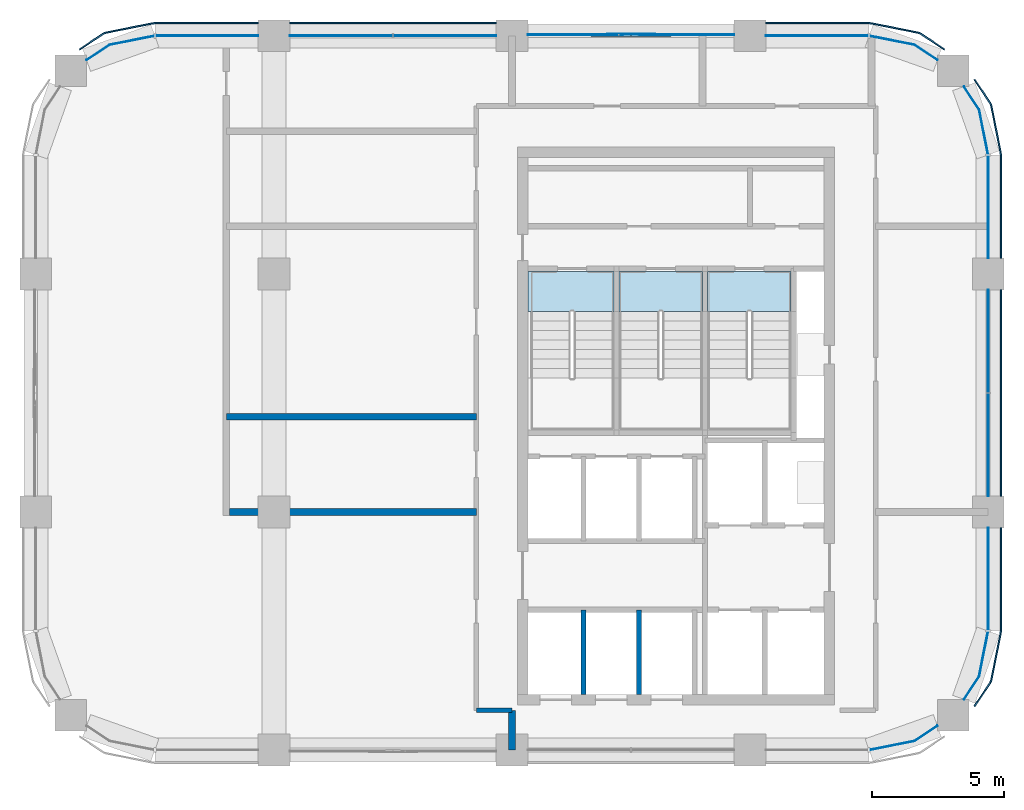
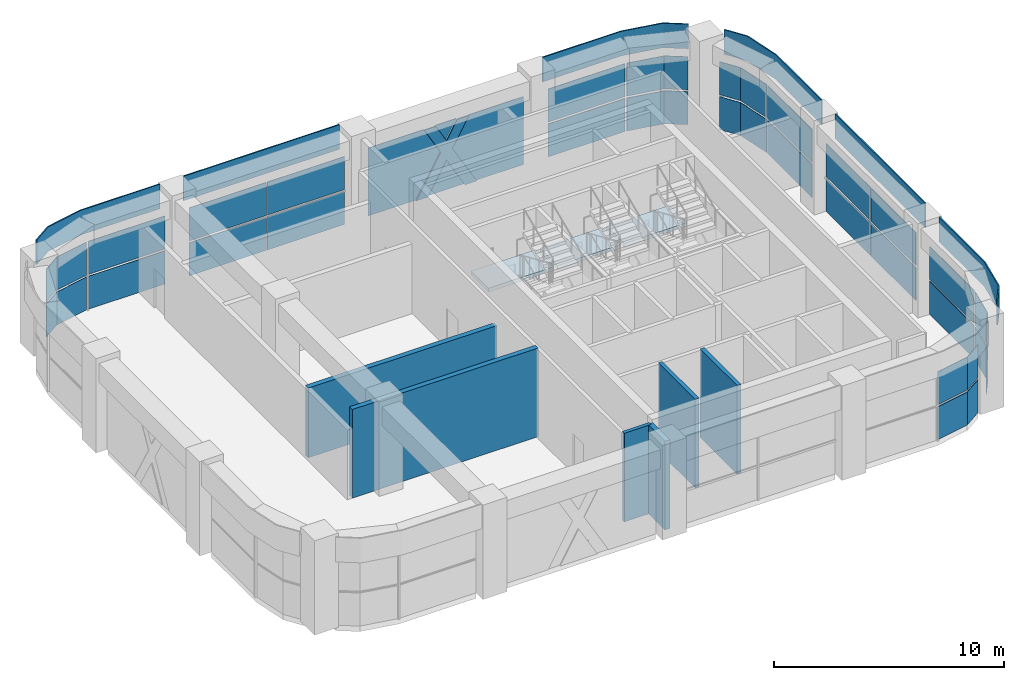
# One storey, part 7 of 15: 37 plates, 6 walls, 3 slabs, 11 elements without a shape of their own.
"""IFC4 building model written with IfcOpenShell, lengths in metres."""

from ifc_helpers import new_model, si_unit, direction, frame, frame_2d, origin, origin_2d, place, context, subcontext, project, spatial, polyline, rectangle, outline, extrude, material, layer, layer_set, type_object, element, aggregate, save


model = new_model("IFC4")

# Units and contexts
model_context = context("Model", 3, precision=1e-05, world=origin(), true_north=direction((0.0, 1.0)))
body_context = subcontext(model_context, "Body", "Model", "MODEL_VIEW")
ifc_project = project(units=[si_unit("LENGTHUNIT", "METRE"), si_unit("AREAUNIT", "SQUARE_METRE"), si_unit("VOLUMEUNIT", "CUBIC_METRE"), si_unit("PLANEANGLEUNIT", "RADIAN"), si_unit("MASSUNIT", "GRAM", prefix="KILO")], contexts=[model_context])

# Site, building, storey
site_placement = place(None, origin())
site = spatial("IfcSite", under=ifc_project, at=site_placement, CompositionType="ELEMENT")
building_placement = place(site_placement, origin())
building = spatial("IfcBuilding", under=site, at=building_placement, Name="Tessera Arch", CompositionType="ELEMENT")
storey_placement = place(building_placement, frame((0.0, 0.0, 285.199951171875)))
storey = spatial("IfcBuildingStorey", under=building, at=storey_placement, Name="L69", CompositionType="ELEMENT", Elevation=285.199951171875)

# Curtain wall, plates
ifc_material_1 = material(Name="CW1 curtain wall")
curtain_wall_type_1 = type_object("IfcCurtainWallType", Name="CW1 curtain wall", PredefinedType="NOTDEFINED", material=ifc_material_1)
curtain_wall_1_placement = place(storey_placement, origin())
curtain_wall_1 = element("IfcCurtainWall", 1, at=curtain_wall_1_placement, inside=storey, type_object=curtain_wall_type_1, Name="CW1 curtain wall E54.27/0 L69", PredefinedType="NOTDEFINED")
ifc_material_2 = material(Name="Clear low-e glass", Category="glass")
ifc_material_3 = material(Name="Clear low-e glass", Category="glass")
ifc_layer_1 = layer(ifc_material_3, 0.028076171875)
ifc_layer_set_1 = layer_set([ifc_layer_1], Name="CW1 glass panel")
plate_type_1 = type_object("IfcPlateType", Name="CW1 glass panel", PredefinedType="CURTAIN_PANEL", material=ifc_layer_set_1)
plate_1_placement = place(storey_placement, frame((54.0, 38.534912109375, 0.0), z_axis=(0.0, 0.0, 1.0), x_axis=(0.0, 1.0, 0.0)))
plate_1 = element("IfcPlate", 2, at=plate_1_placement, type_object=plate_type_1, material=ifc_material_2, Name="CW1 glass panel E54.27/0 1.1.1", PredefinedType="CURTAIN_PANEL", context=body_context, shape_type="SweptSolid", body=[
    extrude(rectangle(XDim=3.8701171875, YDim=0.028076171875, at=origin_2d()), origin(), (0.0, 0.0, 1.0), 1.75),
])
plate_2_placement = place(storey_placement, frame((54.0, 38.534912109375, 1.85009765625), z_axis=(0.0, 0.0, 1.0), x_axis=(0.0, 1.0, 0.0)))
plate_2 = element("IfcPlate", 3, at=plate_2_placement, type_object=plate_type_1, material=ifc_material_2, Name="CW1 glass panel E54.27/0 1.1.2", PredefinedType="CURTAIN_PANEL", context=body_context, shape_type="SweptSolid", body=[
    extrude(rectangle(XDim=3.8701171875, YDim=0.028076171875, at=origin_2d()), origin(), (0.0, 0.0, 1.0), 1.75),
])
plate_3_placement = place(storey_placement, frame((54.0, 42.465087890625, 0.0), z_axis=(0.0, 0.0, 1.0), x_axis=(0.0, 1.0, 0.0)))
plate_3 = element("IfcPlate", 4, at=plate_3_placement, type_object=plate_type_1, material=ifc_material_2, Name="CW1 glass panel E54.27/0 1.2.1", PredefinedType="CURTAIN_PANEL", context=body_context, shape_type="SweptSolid", body=[
    extrude(rectangle(XDim=3.8701171875, YDim=0.028076171875, at=origin_2d()), origin(), (0.0, 0.0, 1.0), 1.75),
])
plate_4_placement = place(storey_placement, frame((54.0, 42.465087890625, 1.85009765625), z_axis=(0.0, 0.0, 1.0), x_axis=(0.0, 1.0, 0.0)))
plate_4 = element("IfcPlate", 5, at=plate_4_placement, type_object=plate_type_1, material=ifc_material_2, Name="CW1 glass panel E54.27/0 1.2.2", PredefinedType="CURTAIN_PANEL", context=body_context, shape_type="SweptSolid", body=[
    extrude(rectangle(XDim=3.8701171875, YDim=0.028076171875, at=origin_2d()), origin(), (0.0, 0.0, 1.0), 1.75),
])

curtain_wall_2_placement = place(storey_placement, origin())
curtain_wall_2 = element("IfcCurtainWall", 6, at=curtain_wall_2_placement, inside=storey, type_object=curtain_wall_type_1, Name="CW1 curtain wall N54.18/2 L69", PredefinedType="NOTDEFINED")
plate_5_placement = place(storey_placement, frame((33.465087890625, 54.0, 0.0), z_axis=(0.0, 0.0, 1.0), x_axis=(-1.0, 0.0, 0.0)))
plate_5 = element("IfcPlate", 7, at=plate_5_placement, type_object=plate_type_1, material=ifc_material_2, Name="CW1 glass panel N54.18/2 1.1.1", PredefinedType="CURTAIN_PANEL", context=body_context, shape_type="SweptSolid", body=[
    extrude(rectangle(XDim=3.8701171875, YDim=0.028076171875, at=origin_2d()), origin(), (0.0, 0.0, 1.0), 1.75),
])
plate_6_placement = place(storey_placement, frame((33.465087890625, 54.0, 1.85009765625), z_axis=(0.0, 0.0, 1.0), x_axis=(-1.0, 0.0, 0.0)))
plate_6 = element("IfcPlate", 8, at=plate_6_placement, type_object=plate_type_1, material=ifc_material_2, Name="CW1 glass panel N54.18/2 1.1.2", PredefinedType="CURTAIN_PANEL", context=body_context, shape_type="SweptSolid", body=[
    extrude(rectangle(XDim=3.8701171875, YDim=0.028076171875, at=origin_2d()), origin(), (0.0, 0.0, 1.0), 1.75),
])
plate_7_placement = place(storey_placement, frame((29.534912109375, 54.0, 0.0), z_axis=(0.0, 0.0, 1.0), x_axis=(-1.0, 0.0, 0.0)))
plate_7 = element("IfcPlate", 9, at=plate_7_placement, type_object=plate_type_1, material=ifc_material_2, Name="CW1 glass panel N54.18/2 1.2.1", PredefinedType="CURTAIN_PANEL", context=body_context, shape_type="SweptSolid", body=[
    extrude(rectangle(XDim=3.8701171875, YDim=0.028076171875, at=origin_2d()), origin(), (0.0, 0.0, 1.0), 1.75),
])
plate_8_placement = place(storey_placement, frame((29.534912109375, 54.0, 1.85009765625), z_axis=(0.0, 0.0, 1.0), x_axis=(-1.0, 0.0, 0.0)))
plate_8 = element("IfcPlate", 10, at=plate_8_placement, type_object=plate_type_1, material=ifc_material_2, Name="CW1 glass panel N54.18/2 1.2.2", PredefinedType="CURTAIN_PANEL", context=body_context, shape_type="SweptSolid", body=[
    extrude(rectangle(XDim=3.8701171875, YDim=0.028076171875, at=origin_2d()), origin(), (0.0, 0.0, 1.0), 1.75),
])

# Plate
ifc_material_4 = material(Name="Pale anodised aluminium panel", Category="aluminium")
ifc_layer_2 = layer(ifc_material_4, 0.06005859375)
ifc_layer_set_2 = layer_set([ifc_layer_2], Name="CW1 spandrel panel")
plate_type_2 = type_object("IfcPlateType", Name="CW1 spandrel panel", PredefinedType="CURTAIN_PANEL", material=ifc_layer_set_2)
plate_9_placement = place(storey_placement, frame((54.47998046875, 40.5, 3.7001953125), z_axis=(0.0, 0.0, 1.0), x_axis=(0.0, 1.0, 0.0)))
plate_9 = element("IfcPlate", 11, at=plate_9_placement, type_object=plate_type_2, Name="CW1 spandrel panel E54.27/0", PredefinedType="CURTAIN_PANEL", context=body_context, shape_type="SweptSolid", body=[
    extrude(rectangle(XDim=7.800048828125, YDim=0.06005859375, at=origin_2d()), origin(), (0.0, 0.0, 1.0), 1.300048828125),
])

aggregate(curtain_wall_1, [plate_1, plate_2, plate_3, plate_4, plate_9])

plate_10_placement = place(storey_placement, frame((31.5, 54.47998046875, 3.7001953125), z_axis=(0.0, 0.0, 1.0), x_axis=(-1.0, 0.0, 0.0)))
plate_10 = element("IfcPlate", 12, at=plate_10_placement, type_object=plate_type_2, Name="CW1 spandrel panel N54.18/2", PredefinedType="CURTAIN_PANEL", context=body_context, shape_type="SweptSolid", body=[
    extrude(rectangle(XDim=7.800048828125, YDim=0.06005859375, at=origin_2d()), origin(), (0.0, 0.0, 1.0), 1.300048828125),
])

aggregate(curtain_wall_2, [plate_5, plate_6, plate_7, plate_8, plate_10])

# Curtain wall, plates
ifc_material_5 = material(Name="CW2 curtain wall")
curtain_wall_type_2 = type_object("IfcCurtainWallType", Name="CW2 curtain wall", PredefinedType="NOTDEFINED", material=ifc_material_5)
curtain_wall_3_placement = place(storey_placement, origin())
curtain_wall_3 = element("IfcCurtainWall", 13, at=curtain_wall_3_placement, inside=storey, type_object=curtain_wall_type_2, Name="CW2 curtain wall E54.27/1 L69", PredefinedType="NOTDEFINED")
ifc_material_6 = material(Name="Clear low-e glass", Category="glass")
ifc_layer_3 = layer(ifc_material_6, 0.028076171875)
ifc_layer_set_3 = layer_set([ifc_layer_3], Name="CW2 glass panel")
plate_type_3 = type_object("IfcPlateType", Name="CW2 glass panel", PredefinedType="CURTAIN_PANEL", material=ifc_layer_set_3)
plate_11_placement = place(storey_placement, frame((54.0, 47.530029296875, 0.0), z_axis=(0.0, 0.0, 1.0), x_axis=(0.0, 1.0, 0.0)))
plate_11 = element("IfcPlate", 14, at=plate_11_placement, type_object=plate_type_3, material=ifc_material_2, Name="CW2 glass panel E54.27/1 1.1", PredefinedType="CURTAIN_PANEL", context=body_context, shape_type="SweptSolid", body=[
    extrude(rectangle(XDim=3.860107421875, YDim=0.028076171875, at=origin_2d()), origin(), (0.0, 0.0, 1.0), 1.75),
])
plate_12_placement = place(storey_placement, origin())
plate_12 = element("IfcPlate", 15, at=plate_12_placement, type_object=plate_type_3, material=ifc_material_2, Name="CW2 curved glass panel E54.27/1 2.1", PredefinedType="CURTAIN_PANEL", context=body_context, shape_type="SweptSolid", body=[
    extrude(outline(polyline([(53.644287109375, 51.216552734375), (53.978515625, 49.53662109375), (54.005859375, 49.5419921875), (53.670654296875, 51.2275390625), (53.094482421875, 52.08984375), (53.0712890625, 52.07421875), (53.644287109375, 51.216552734375)])), origin(), (0.0, 0.0, 1.0), 1.75),
])
plate_13_placement = place(storey_placement, frame((54.0, 47.530029296875, 1.85009765625), z_axis=(0.0, 0.0, 1.0), x_axis=(0.0, 1.0, 0.0)))
plate_13 = element("IfcPlate", 16, at=plate_13_placement, type_object=plate_type_3, material=ifc_material_2, Name="CW2 glass panel E54.27/1 1.2", PredefinedType="CURTAIN_PANEL", context=body_context, shape_type="SweptSolid", body=[
    extrude(rectangle(XDim=3.860107421875, YDim=0.028076171875, at=origin_2d()), origin(), (0.0, 0.0, 1.0), 1.75),
])
plate_14_placement = place(storey_placement, frame((0.0, 0.0, 1.85009765625)))
plate_14 = element("IfcPlate", 17, at=plate_14_placement, type_object=plate_type_3, material=ifc_material_2, Name="CW2 curved glass panel E54.27/1 2.2", PredefinedType="CURTAIN_PANEL", context=body_context, shape_type="SweptSolid", body=[
    extrude(outline(polyline([(53.644287109375, 51.216552734375), (53.978515625, 49.53662109375), (54.005859375, 49.5419921875), (53.670654296875, 51.2275390625), (53.094482421875, 52.08984375), (53.0712890625, 52.07421875), (53.644287109375, 51.216552734375)])), origin(), (0.0, 0.0, 1.0), 1.75),
])

curtain_wall_4_placement = place(storey_placement, origin())
curtain_wall_4 = element("IfcCurtainWall", 18, at=curtain_wall_4_placement, inside=storey, type_object=curtain_wall_type_2, Name="CW2 curtain wall N54.18/0 L69", PredefinedType="NOTDEFINED")
plate_15_placement = place(storey_placement, frame((47.530029296875, 54.0, 0.0), z_axis=(0.0, 0.0, 1.0), x_axis=(-1.0, 0.0, 0.0)))
plate_15 = element("IfcPlate", 19, at=plate_15_placement, type_object=plate_type_3, material=ifc_material_2, Name="CW2 glass panel N54.18/0 1.1", PredefinedType="CURTAIN_PANEL", context=body_context, shape_type="SweptSolid", body=[
    extrude(rectangle(XDim=3.860107421875, YDim=0.028076171875, at=origin_2d()), origin(), (0.0, 0.0, 1.0), 1.75),
])
plate_16_placement = place(storey_placement, origin())
plate_16 = element("IfcPlate", 20, at=plate_16_placement, type_object=plate_type_3, material=ifc_material_2, Name="CW2 curved glass panel N54.18/0 2.1", PredefinedType="CURTAIN_PANEL", context=body_context, shape_type="SweptSolid", body=[
    extrude(outline(polyline([(51.216552734375, 53.644287109375), (52.07421875, 53.0712890625), (52.08984375, 53.094482421875), (51.2275390625, 53.670654296875), (49.5419921875, 54.005859375), (49.53662109375, 53.978515625), (51.216552734375, 53.644287109375)])), origin(), (0.0, 0.0, 1.0), 1.75),
])
plate_17_placement = place(storey_placement, frame((47.530029296875, 54.0, 1.85009765625), z_axis=(0.0, 0.0, 1.0), x_axis=(-1.0, 0.0, 0.0)))
plate_17 = element("IfcPlate", 21, at=plate_17_placement, type_object=plate_type_3, material=ifc_material_2, Name="CW2 glass panel N54.18/0 1.2", PredefinedType="CURTAIN_PANEL", context=body_context, shape_type="SweptSolid", body=[
    extrude(rectangle(XDim=3.860107421875, YDim=0.028076171875, at=origin_2d()), origin(), (0.0, 0.0, 1.0), 1.75),
])
plate_18_placement = place(storey_placement, frame((0.0, 0.0, 1.85009765625)))
plate_18 = element("IfcPlate", 22, at=plate_18_placement, type_object=plate_type_3, material=ifc_material_2, Name="CW2 curved glass panel N54.18/0 2.2", PredefinedType="CURTAIN_PANEL", context=body_context, shape_type="SweptSolid", body=[
    extrude(outline(polyline([(51.216552734375, 53.644287109375), (52.07421875, 53.0712890625), (52.08984375, 53.094482421875), (51.2275390625, 53.670654296875), (49.5419921875, 54.005859375), (49.53662109375, 53.978515625), (51.216552734375, 53.644287109375)])), origin(), (0.0, 0.0, 1.0), 1.75),
])

curtain_wall_5_placement = place(storey_placement, origin())
curtain_wall_5 = element("IfcCurtainWall", 23, at=curtain_wall_5_placement, inside=storey, type_object=curtain_wall_type_2, Name="CW2 curtain wall N54.18/3 L69", PredefinedType="NOTDEFINED")
plate_19_placement = place(storey_placement, frame((24.469970703125, 54.0, 0.0), z_axis=(0.0, 0.0, 1.0), x_axis=(-1.0, 0.0, 0.0)))
plate_19 = element("IfcPlate", 24, at=plate_19_placement, type_object=plate_type_3, material=ifc_material_2, Name="CW2 glass panel N54.18/3 1.1", PredefinedType="CURTAIN_PANEL", context=body_context, shape_type="SweptSolid", body=[
    extrude(rectangle(XDim=3.860107421875, YDim=0.028076171875, at=origin_2d()), origin(), (0.0, 0.0, 1.0), 1.75),
])
plate_20_placement = place(storey_placement, origin())
plate_20 = element("IfcPlate", 25, at=plate_20_placement, type_object=plate_type_3, material=ifc_material_2, Name="CW2 curved glass panel N54.18/3 2.1", PredefinedType="CURTAIN_PANEL", context=body_context, shape_type="SweptSolid", body=[
    extrude(outline(polyline([(20.783447265625, 53.644287109375), (22.46337890625, 53.978515625), (22.4580078125, 54.005859375), (20.7724609375, 53.670654296875), (19.91015625, 53.094482421875), (19.92578125, 53.0712890625), (20.783447265625, 53.644287109375)])), origin(), (0.0, 0.0, 1.0), 1.75),
])
plate_21_placement = place(storey_placement, frame((24.469970703125, 54.0, 1.85009765625), z_axis=(0.0, 0.0, 1.0), x_axis=(-1.0, 0.0, 0.0)))
plate_21 = element("IfcPlate", 26, at=plate_21_placement, type_object=plate_type_3, material=ifc_material_2, Name="CW2 glass panel N54.18/3 1.2", PredefinedType="CURTAIN_PANEL", context=body_context, shape_type="SweptSolid", body=[
    extrude(rectangle(XDim=3.860107421875, YDim=0.028076171875, at=origin_2d()), origin(), (0.0, 0.0, 1.0), 1.75),
])
plate_22_placement = place(storey_placement, frame((0.0, 0.0, 1.85009765625)))
plate_22 = element("IfcPlate", 27, at=plate_22_placement, type_object=plate_type_3, material=ifc_material_2, Name="CW2 curved glass panel N54.18/3 2.2", PredefinedType="CURTAIN_PANEL", context=body_context, shape_type="SweptSolid", body=[
    extrude(outline(polyline([(20.783447265625, 53.644287109375), (22.46337890625, 53.978515625), (22.4580078125, 54.005859375), (20.7724609375, 53.670654296875), (19.91015625, 53.094482421875), (19.92578125, 53.0712890625), (20.783447265625, 53.644287109375)])), origin(), (0.0, 0.0, 1.0), 1.75),
])

curtain_wall_6_placement = place(storey_placement, origin())
curtain_wall_6 = element("IfcCurtainWall", 28, at=curtain_wall_6_placement, inside=storey, type_object=curtain_wall_type_2, Name="CW2 curtain wall S27.18/3 L69", PredefinedType="NOTDEFINED")
plate_23_placement = place(storey_placement, origin())
plate_23 = element("IfcPlate", 29, at=plate_23_placement, type_object=plate_type_3, material=ifc_material_2, Name="CW2 curved glass panel S27.18/3 2.1", PredefinedType="CURTAIN_PANEL", context=body_context, shape_type="SweptSolid", body=[
    extrude(outline(polyline([(51.216552734375, 27.355712890625), (49.53662109375, 27.021484375), (49.5419921875, 26.994140625), (51.2275390625, 27.329345703125), (52.08984375, 27.905517578125), (52.07421875, 27.9287109375), (51.216552734375, 27.355712890625)])), origin(), (0.0, 0.0, 1.0), 1.75),
])
plate_24_placement = place(storey_placement, frame((0.0, 0.0, 1.85009765625)))
plate_24 = element("IfcPlate", 30, at=plate_24_placement, type_object=plate_type_3, material=ifc_material_2, Name="CW2 curved glass panel S27.18/3 2.2", PredefinedType="CURTAIN_PANEL", context=body_context, shape_type="SweptSolid", body=[
    extrude(outline(polyline([(51.216552734375, 27.355712890625), (49.53662109375, 27.021484375), (49.5419921875, 26.994140625), (51.2275390625, 27.329345703125), (52.08984375, 27.905517578125), (52.07421875, 27.9287109375), (51.216552734375, 27.355712890625)])), origin(), (0.0, 0.0, 1.0), 1.75),
])
aggregate(curtain_wall_6, [plate_23, plate_24])

curtain_wall_7_placement = place(storey_placement, origin())
curtain_wall_7 = element("IfcCurtainWall", 31, at=curtain_wall_7_placement, inside=storey, type_object=curtain_wall_type_2, Name="CW2 curtain wall E54.27/2 L69", PredefinedType="NOTDEFINED")
plate_25_placement = place(storey_placement, frame((54.0, 33.469970703125, 0.0), z_axis=(0.0, 0.0, 1.0), x_axis=(0.0, 1.0, 0.0)))
plate_25 = element("IfcPlate", 32, at=plate_25_placement, type_object=plate_type_3, material=ifc_material_2, Name="CW2 glass panel E54.27/2 1.1", PredefinedType="CURTAIN_PANEL", context=body_context, shape_type="SweptSolid", body=[
    extrude(rectangle(XDim=3.860107421875, YDim=0.028076171875, at=origin_2d()), origin(), (0.0, 0.0, 1.0), 1.75),
])
plate_26_placement = place(storey_placement, origin())
plate_26 = element("IfcPlate", 33, at=plate_26_placement, type_object=plate_type_3, material=ifc_material_2, Name="CW2 curved glass panel E54.27/2 2.1", PredefinedType="CURTAIN_PANEL", context=body_context, shape_type="SweptSolid", body=[
    extrude(outline(polyline([(53.644287109375, 29.783447265625), (53.0712890625, 28.92578125), (53.094482421875, 28.91015625), (53.670654296875, 29.7724609375), (54.005859375, 31.4580078125), (53.978515625, 31.46337890625), (53.644287109375, 29.783447265625)])), origin(), (0.0, 0.0, 1.0), 1.75),
])
plate_27_placement = place(storey_placement, frame((54.0, 33.469970703125, 1.85009765625), z_axis=(0.0, 0.0, 1.0), x_axis=(0.0, 1.0, 0.0)))
plate_27 = element("IfcPlate", 34, at=plate_27_placement, type_object=plate_type_3, material=ifc_material_2, Name="CW2 glass panel E54.27/2 1.2", PredefinedType="CURTAIN_PANEL", context=body_context, shape_type="SweptSolid", body=[
    extrude(rectangle(XDim=3.860107421875, YDim=0.028076171875, at=origin_2d()), origin(), (0.0, 0.0, 1.0), 1.75),
])
plate_28_placement = place(storey_placement, frame((0.0, 0.0, 1.85009765625)))
plate_28 = element("IfcPlate", 35, at=plate_28_placement, type_object=plate_type_3, material=ifc_material_2, Name="CW2 curved glass panel E54.27/2 2.2", PredefinedType="CURTAIN_PANEL", context=body_context, shape_type="SweptSolid", body=[
    extrude(outline(polyline([(53.644287109375, 29.783447265625), (53.0712890625, 28.92578125), (53.094482421875, 28.91015625), (53.670654296875, 29.7724609375), (54.005859375, 31.4580078125), (53.978515625, 31.46337890625), (53.644287109375, 29.783447265625)])), origin(), (0.0, 0.0, 1.0), 1.75),
])

# Plate
ifc_material_7 = material(Name="Pale anodised aluminium panel", Category="aluminium")
ifc_layer_4 = layer(ifc_material_7, 0.06005859375)
ifc_layer_set_4 = layer_set([ifc_layer_4], Name="CW2 spandrel panel")
plate_type_4 = type_object("IfcPlateType", Name="CW2 spandrel panel", PredefinedType="CURTAIN_PANEL", material=ifc_layer_set_4)
plate_29_placement = place(storey_placement, frame((0.0, 0.0, 3.699951171875)))
plate_29 = element("IfcPlate", 36, at=plate_29_placement, type_object=plate_type_4, Name="CW2 spandrel panel E54.27/1", PredefinedType="CURTAIN_PANEL", context=body_context, shape_type="SweptSolid", body=[
    extrude(outline(polyline([(54.449951171875, 49.499267578125), (54.449951171875, 45.60009765625), (54.510009765625, 45.60009765625), (54.510009765625, 49.500732421875), (54.507568359375, 49.550048828125), (54.500244140625, 49.598876953125), (54.157470703125, 51.322265625), (54.1455078125, 51.3701171875), (54.128662109375, 51.417236328125), (54.107421875, 51.462646484375), (54.08203125, 51.5048828125), (53.5068359375, 52.365234375), (53.45703125, 52.33203125), (54.03125, 51.47265625), (54.054443359375, 51.434326171875), (54.0732421875, 51.394287109375), (54.088134765625, 51.352783203125), (54.09912109375, 51.30908203125), (54.441162109375, 49.588623046875), (54.44775390625, 49.544189453125), (54.449951171875, 49.499267578125)])), origin(), (0.0, 0.0, 1.0), 1.300048828125),
])

aggregate(curtain_wall_3, [plate_11, plate_12, plate_13, plate_14, plate_29])

plate_30_placement = place(storey_placement, frame((0.0, 0.0, 3.699951171875)))
plate_30 = element("IfcPlate", 37, at=plate_30_placement, type_object=plate_type_4, Name="CW2 spandrel panel N54.18/0", PredefinedType="CURTAIN_PANEL", context=body_context, shape_type="SweptSolid", body=[
    extrude(outline(polyline([(51.47265625, 54.03125), (52.33203125, 53.45703125), (52.365234375, 53.5068359375), (51.5048828125, 54.08203125), (51.462646484375, 54.107421875), (51.417236328125, 54.128662109375), (51.3701171875, 54.1455078125), (51.322265625, 54.157470703125), (49.598876953125, 54.500244140625), (49.550048828125, 54.507568359375), (49.500732421875, 54.510009765625), (45.60009765625, 54.510009765625), (45.60009765625, 54.449951171875), (49.499267578125, 54.449951171875), (49.544189453125, 54.44775390625), (49.588623046875, 54.441162109375), (51.30908203125, 54.09912109375), (51.352783203125, 54.088134765625), (51.394287109375, 54.0732421875), (51.434326171875, 54.054443359375), (51.47265625, 54.03125)])), origin(), (0.0, 0.0, 1.0), 1.300048828125),
])

aggregate(curtain_wall_4, [plate_15, plate_16, plate_17, plate_18, plate_30])

plate_31_placement = place(storey_placement, frame((0.0, 0.0, 3.699951171875)))
plate_31 = element("IfcPlate", 38, at=plate_31_placement, type_object=plate_type_4, Name="CW2 spandrel panel N54.18/3", PredefinedType="CURTAIN_PANEL", context=body_context, shape_type="SweptSolid", body=[
    extrude(outline(polyline([(22.500732421875, 54.449951171875), (26.39990234375, 54.449951171875), (26.39990234375, 54.510009765625), (22.499267578125, 54.510009765625), (22.449951171875, 54.507568359375), (22.401123046875, 54.500244140625), (20.677734375, 54.157470703125), (20.6298828125, 54.1455078125), (20.582763671875, 54.128662109375), (20.537353515625, 54.107421875), (20.4951171875, 54.08203125), (19.634765625, 53.5068359375), (19.66796875, 53.45703125), (20.52734375, 54.03125), (20.565673828125, 54.054443359375), (20.605712890625, 54.0732421875), (20.647216796875, 54.088134765625), (20.69091796875, 54.09912109375), (22.411376953125, 54.441162109375), (22.455810546875, 54.44775390625), (22.500732421875, 54.449951171875)])), origin(), (0.0, 0.0, 1.0), 1.300048828125),
])

aggregate(curtain_wall_5, [plate_19, plate_20, plate_21, plate_22, plate_31])

plate_32_placement = place(storey_placement, frame((0.0, 0.0, 3.699951171875)))
plate_32 = element("IfcPlate", 39, at=plate_32_placement, type_object=plate_type_4, Name="CW2 spandrel panel E54.27/2", PredefinedType="CURTAIN_PANEL", context=body_context, shape_type="SweptSolid", body=[
    extrude(outline(polyline([(54.03125, 29.52734375), (53.45703125, 28.66796875), (53.5068359375, 28.634765625), (54.08203125, 29.4951171875), (54.107421875, 29.537353515625), (54.128662109375, 29.582763671875), (54.1455078125, 29.6298828125), (54.157470703125, 29.677734375), (54.500244140625, 31.401123046875), (54.507568359375, 31.449951171875), (54.510009765625, 31.499267578125), (54.510009765625, 35.39990234375), (54.449951171875, 35.39990234375), (54.449951171875, 31.500732421875), (54.44775390625, 31.455810546875), (54.441162109375, 31.411376953125), (54.09912109375, 29.69091796875), (54.088134765625, 29.647216796875), (54.0732421875, 29.605712890625), (54.054443359375, 29.565673828125), (54.03125, 29.52734375)])), origin(), (0.0, 0.0, 1.0), 1.300048828125),
])

aggregate(curtain_wall_7, [plate_25, plate_26, plate_27, plate_28, plate_32])

# Curtain wall, plates
ifc_material_8 = material(Name="CW3 curtain wall")
curtain_wall_type_3 = type_object("IfcCurtainWallType", Name="CW3 curtain wall", PredefinedType="NOTDEFINED", material=ifc_material_8)
curtain_wall_8_placement = place(storey_placement, origin())
curtain_wall_8 = element("IfcCurtainWall", 40, at=curtain_wall_8_placement, inside=storey, type_object=curtain_wall_type_3, Name="CW3 curtain wall N54.18/1 L69", PredefinedType="NOTDEFINED")
ifc_material_9 = material(Name="Pale anodised aluminium panel", Category="aluminium")
ifc_layer_5 = layer(ifc_material_9, 0.06005859375)
ifc_layer_set_5 = layer_set([ifc_layer_5], Name="CW3 diagonal panel")
plate_type_5 = type_object("IfcPlateType", Name="CW3 diagonal panel", PredefinedType="CURTAIN_PANEL", material=ifc_layer_set_5)
plate_33_placement = place(storey_placement, frame((39.384033203125, 54.030029296875, 3.60009765625), z_axis=(0.0, 1.0, 0.0), x_axis=(1.0, 0.0, 0.0)))
plate_33 = element("IfcPlate", 41, at=plate_33_placement, type_object=plate_type_5, Name="CW3 diagonal panel N54.18/1 1", PredefinedType="CURTAIN_PANEL", context=body_context, shape_type="SweptSolid", body=[
    extrude(outline(polyline([(0.0, 0.0), (0.5810546875, 0.0), (1.115966796875, 0.939697265625), (1.65087890625, 0.0), (2.23193359375, 0.0), (1.406494140625, 1.449951171875), (2.630615234375, 3.60009765625), (2.049560546875, 3.60009765625), (1.115966796875, 1.96044921875), (0.182373046875, 3.60009765625), (-0.398681640625, 3.60009765625), (0.825439453125, 1.449951171875), (0.0, 0.0)])), origin(), (0.0, 0.0, -1.0), 0.06005859375),
])
ifc_material_10 = material(Name="Clear low-e glass", Category="glass")
ifc_layer_6 = layer(ifc_material_10, 0.028076171875)
ifc_layer_set_6 = layer_set([ifc_layer_6], Name="CW3 glass panel")
plate_type_6 = type_object("IfcPlateType", Name="CW3 glass panel", PredefinedType="CURTAIN_PANEL", material=ifc_layer_set_6)
plate_34_placement = place(storey_placement, frame((44.39990234375, 54.05810546875, 0.0), z_axis=(0.0, 1.0, 0.0), x_axis=(-1.0, 0.0, 0.0)))
plate_34 = element("IfcPlate", 42, at=plate_34_placement, type_object=plate_type_6, material=ifc_material_2, Name="CW3 triangulated glass panel N54.18/1 1", PredefinedType="CURTAIN_PANEL", context=body_context, shape_type="SweptSolid", body=[
    extrude(outline(polyline([(0.0, 0.0), (2.38525390625, 0.0), (3.609375, 2.150146484375), (2.783935546875, 3.60009765625), (0.0, 3.60009765625), (0.0, 0.0)])), origin(), (0.0, 0.0, -1.0), 0.028076171875),
])
plate_35_placement = place(storey_placement, frame((41.43359375, 54.0859375, 0.0), z_axis=(0.0, 1.0, 0.0), x_axis=(-1.0, 0.0, 0.0)))
plate_35 = element("IfcPlate", 43, at=plate_35_placement, type_object=plate_type_6, material=ifc_material_2, Name="CW3 triangulated glass panel N54.18/1 2", PredefinedType="CURTAIN_PANEL", context=body_context, shape_type="SweptSolid", body=[
    extrude(outline(polyline([(0.0, 0.0), (1.8671875, 0.0), (0.93359375, 1.6396484375), (0.0, 0.0)])), origin(), (0.0, 0.0, -1.0), 0.028076171875),
])
plate_36_placement = place(storey_placement, frame((39.965087890625, 54.0859375, 3.60009765625), z_axis=(0.0, 1.0, 0.0), x_axis=(1.0, 0.0, 0.0)))
plate_36 = element("IfcPlate", 44, at=plate_36_placement, type_object=plate_type_6, material=ifc_material_2, Name="CW3 triangulated glass panel N54.18/1 3", PredefinedType="CURTAIN_PANEL", context=body_context, shape_type="SweptSolid", body=[
    extrude(outline(polyline([(0.0, 0.0), (1.06982421875, 0.0), (0.534912109375, 0.939697265625), (0.0, 0.0)])), origin(), (0.0, 0.0, -1.0), 0.028076171875),
])
plate_37_placement = place(storey_placement, frame((36.60009765625, 54.05810546875, 3.60009765625), z_axis=(0.0, 1.0, 0.0), x_axis=(1.0, 0.0, 0.0)))
plate_37 = element("IfcPlate", 45, at=plate_37_placement, type_object=plate_type_6, material=ifc_material_2, Name="CW3 triangulated glass panel N54.18/1 4", PredefinedType="CURTAIN_PANEL", context=body_context, shape_type="SweptSolid", body=[
    extrude(outline(polyline([(0.0, 0.0), (2.783935546875, 0.0), (3.609375, 1.449951171875), (2.38525390625, 3.60009765625), (0.0, 3.60009765625), (0.0, 0.0)])), origin(), (0.0, 0.0, -1.0), 0.028076171875),
])
aggregate(curtain_wall_8, [plate_34, plate_35, plate_36, plate_37, plate_33])

# Stair, slab
ifc_material_11 = material(Name="Concrete C40/50", Category="concrete")
stair_type = type_object("IfcStairType", Name="Dogleg stair 1520", PredefinedType="HALF_TURN_STAIR", material=ifc_material_11)
stair_1_placement = place(storey_placement, origin())
stair_1 = element("IfcStair", 46, at=stair_1_placement, inside=storey, type_object=stair_type, Name="L69 S1a", PredefinedType="HALF_TURN_STAIR")
ifc_material_12 = material(Name="Concrete C40/50", Category="concrete")
ifc_layer_7 = layer(ifc_material_12, 0.300048828125)
ifc_layer_set_7 = layer_set([ifc_layer_7], Name="Stair landing 300")
slab_type = type_object("IfcSlabType", Name="Stair landing 300", PredefinedType="LANDING", material=ifc_layer_set_7)
slab_1_placement = place(storey_placement, frame((0.0, 0.0, 2.300048828125)))
slab_1 = element("IfcSlab", 47, at=slab_1_placement, type_object=slab_type, Name="S1a landing 2", PredefinedType="LANDING", context=body_context, shape_type="SweptSolid", body=[
    extrude(outline(polyline([(36.60009765625, 45.10009765625), (36.60009765625, 43.580078125), (39.85009765625, 43.580078125), (39.85009765625, 45.10009765625), (36.60009765625, 45.10009765625)])), origin(), (0.0, 0.0, 1.0), 0.199951171875),
])
aggregate(stair_1, [slab_1])

stair_2_placement = place(storey_placement, origin())
stair_2 = element("IfcStair", 48, at=stair_2_placement, inside=storey, type_object=stair_type, Name="L69 S1b", PredefinedType="HALF_TURN_STAIR")
slab_2_placement = place(storey_placement, frame((0.0, 0.0, 2.300048828125)))
slab_2 = element("IfcSlab", 49, at=slab_2_placement, type_object=slab_type, Name="S1b landing 2", PredefinedType="LANDING", context=body_context, shape_type="SweptSolid", body=[
    extrude(outline(polyline([(40.050048828125, 45.10009765625), (40.050048828125, 43.580078125), (43.199951171875, 43.580078125), (43.199951171875, 45.10009765625), (40.050048828125, 45.10009765625)])), origin(), (0.0, 0.0, 1.0), 0.199951171875),
])
aggregate(stair_2, [slab_2])

stair_3_placement = place(storey_placement, origin())
stair_3 = element("IfcStair", 50, at=stair_3_placement, inside=storey, type_object=stair_type, Name="L69 S1c", PredefinedType="HALF_TURN_STAIR")
slab_3_placement = place(storey_placement, frame((0.0, 0.0, 2.300048828125)))
slab_3 = element("IfcSlab", 51, at=slab_3_placement, type_object=slab_type, Name="S1c landing 2", PredefinedType="LANDING", context=body_context, shape_type="SweptSolid", body=[
    extrude(outline(polyline([(43.39990234375, 45.10009765625), (43.39990234375, 43.580078125), (46.550048828125, 43.580078125), (46.550048828125, 45.10009765625), (43.39990234375, 45.10009765625)])), origin(), (0.0, 0.0, 1.0), 0.199951171875),
])
aggregate(stair_3, [slab_3])

# Walls
ifc_material_13 = material(Name="Gypsum board on deep steel stud with mineral wool", Category="steel")
ifc_layer_8 = layer(ifc_material_13, 0.175048828125)
ifc_layer_set_8 = layer_set([ifc_layer_8], Name="Corridor wall 175 EI 60")
wall_type_1 = type_object("IfcWallType", Name="Corridor wall 175 EI 60", PredefinedType="PARTITIONING", material=ifc_layer_set_8)
wall_1_placement = place(storey_placement, frame((34.64990234375, 28.5, 0.0), z_axis=(0.0, 0.0, 1.0), x_axis=(1.0, 0.0, 0.0)))
element("IfcWall", 52, at=wall_1_placement, inside=storey, type_object=wall_type_1, Name="L69 partition 1", PredefinedType="PARTITIONING", context=body_context, shape_type="SweptSolid", body=[
    extrude(rectangle(XDim=1.35009765625, YDim=0.175048828125, at=frame_2d((0.675048828125, 0.0))), origin(), (0.0, 0.0, 1.0), 4.699951171875),
])
ifc_material_14 = material(Name="Double gypsum board on twin steel stud with acoustic mineral wool", Category="steel")
ifc_layer_9 = layer(ifc_material_14, 0.25)
ifc_layer_set_9 = layer_set([ifc_layer_9], Name="Party wall 250 EI 60")
wall_type_2 = type_object("IfcWallType", Name="Party wall 250 EI 60", PredefinedType="PARTITIONING", material=ifc_layer_set_9)
wall_2_placement = place(storey_placement, frame((25.324951171875, 36.0, 0.0), z_axis=(0.0, 0.0, 1.0), x_axis=(1.0, 0.0, 0.0)))
element("IfcWall", 53, at=wall_2_placement, inside=storey, type_object=wall_type_2, Name="L69 partition 6", PredefinedType="PARTITIONING", context=body_context, shape_type="SweptSolid", body=[
    extrude(rectangle(XDim=9.324951171875, YDim=0.25, at=frame_2d((4.66259765625, 0.0))), origin(), (0.0, 0.0, 1.0), 4.699951171875),
])
wall_3_placement = place(storey_placement, frame((25.199951171875, 39.60009765625, 0.0), z_axis=(0.0, 0.0, 1.0), x_axis=(1.0, 0.0, 0.0)))
element("IfcWall", 54, at=wall_3_placement, inside=storey, type_object=wall_type_2, Name="L69 partition 8", PredefinedType="PARTITIONING", context=body_context, shape_type="SweptSolid", body=[
    extrude(rectangle(XDim=9.449951171875, YDim=0.25, at=frame_2d((4.72509765625, 0.0))), origin(), (0.0, 0.0, 1.0), 3.699951171875),
])
wall_4_placement = place(storey_placement, frame((36.0, 27.0, 0.0), z_axis=(0.0, 0.0, 1.0), x_axis=(0.0, 1.0, 0.0)))
element("IfcWall", 55, at=wall_4_placement, inside=storey, type_object=wall_type_2, Name="L69 partition 13", PredefinedType="PARTITIONING", context=body_context, shape_type="SweptSolid", body=[
    extrude(rectangle(XDim=1.5, YDim=0.25, at=frame_2d((0.75, 0.0))), origin(), (0.0, 0.0, 1.0), 4.699951171875),
])
ifc_material_15 = material(Name="Concrete C40/50", Category="concrete")
ifc_layer_10 = layer(ifc_material_15, 0.199951171875)
ifc_layer_set_10 = layer_set([ifc_layer_10], Name="Shaft wall 200 EI 120")
wall_type_3 = type_object("IfcWallType", Name="Shaft wall 200 EI 120", PredefinedType="SOLIDWALL", material=ifc_layer_set_10)
for number, where, z_axis, x_axis, name in (
    (56, (38.699951171875, 29.10009765625, 0.0), (0.0, 0.0, 1.0), (0.0, 1.0, 0.0), "L69 C1 shaft wall 1"),
    (57, (40.800048828125, 29.10009765625, 0.0), (0.0, 0.0, 1.0), (0.0, 1.0, 0.0), "L69 C1 shaft wall 6"),
):
    element("IfcWall", number, at=place(storey_placement, frame(where, z_axis=z_axis, x_axis=x_axis)), inside=storey, type_object=wall_type_3, Name=name, PredefinedType="SOLIDWALL", context=body_context, shape_type="SweptSolid", body=[
        extrude(rectangle(XDim=3.199951171875, YDim=0.199951171875, at=frame_2d((1.60009765625, 0.0))), origin(), (0.0, 0.0, 1.0), 4.699951171875),
    ])

save(model, "model.ifc")
